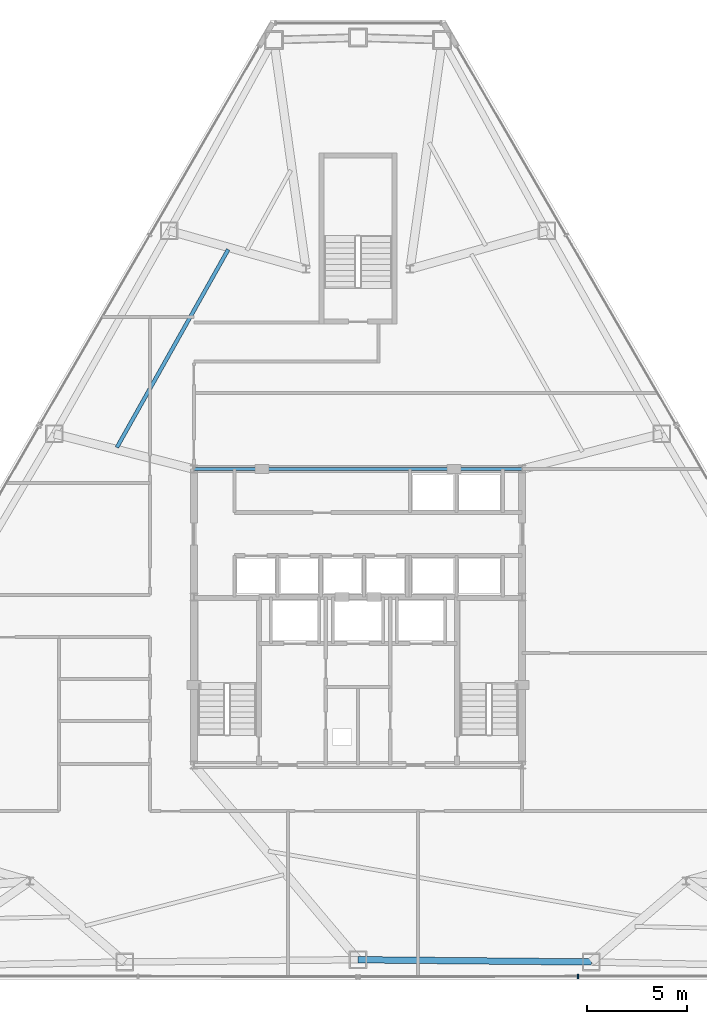
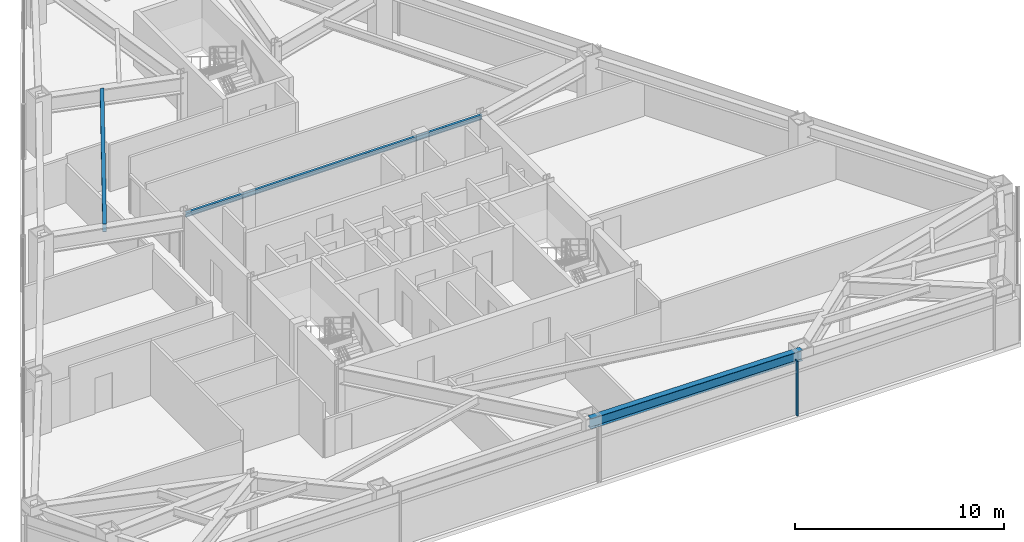
# One storey, part 5 of 13: 3 beams, 1 member, 1 element without a shape of its own.
"""IFC4 building model written with IfcOpenShell, lengths in metres."""

import ifcopenshell
import ifcopenshell.guid

model = None  # the IFC model being written
_history = None  # IfcOwnerHistory: only IFC2X3 demands one
_inside = {}  # id of a spatial element -> (the spatial element, [elements in it])
_under = {}  # id of a project, library or spatial element -> (it, [spatial elements below it])
_declared = {}  # id of a project -> (the project, [libraries it declares])
_typed = {}  # id of a type object -> (the type object, [elements of that type])
_made_of = {}  # id of a material, layer set ... -> (it, [elements and type objects made of it])


def new_model(schema):
    """Start an empty IFC model of exactly this schema.

    Asked for "IFC4X3", IfcOpenShell would pick the latest addendum, in which some entities
    have other attributes; the version numbers below select the first issue.
    IFC2X3 requires an IfcOwnerHistory on every rooted entity: one is made here for all.
    """
    global model, _history
    if schema == "IFC4X3":
        model = ifcopenshell.file(schema_version=(4, 3, 0, 0))
    else:
        model = ifcopenshell.file(schema=schema)
    _inside.clear()
    _under.clear()
    _declared.clear()
    _typed.clear()
    _made_of.clear()
    _history = None
    if model.schema == "IFC2X3":
        org = make("IfcOrganization", Name="unknown")
        user = make(
            "IfcPersonAndOrganization",
            ThePerson=make("IfcPerson", FamilyName="unknown"),
            TheOrganization=org,
        )
        app = make(
            "IfcApplication",
            ApplicationDeveloper=org,
            Version="unknown",
            ApplicationFullName="unknown",
            ApplicationIdentifier="unknown",
        )
        _history = make(
            "IfcOwnerHistory",
            OwningUser=user,
            OwningApplication=app,
            ChangeAction="ADDED",
            CreationDate=0,
        )
    return model


def make(cls, **values):
    """One entity of the class cls with the attributes given. An attribute that is None is left unset."""
    return model.create_entity(
        cls, **{name: value for name, value in values.items() if value is not None}
    )


def rooted(cls, **values):
    """An entity with a GlobalId (a new one), such as an element, a storey or a relation."""
    return make(cls, GlobalId=ifcopenshell.guid.new(), OwnerHistory=_history, **values)


def si_unit(unit_type, name, prefix=None):
    """IfcSIUnit, for example si_unit("LENGTHUNIT", "METRE", prefix="MILLI")."""
    return make("IfcSIUnit", UnitType=unit_type, Prefix=prefix, Name=name)


def assignment(units):
    """IfcUnitAssignment: the units of a project."""
    return None if units is None else make("IfcUnitAssignment", Units=units)


def point(xyz):
    """IfcCartesianPoint."""
    return None if xyz is None else make("IfcCartesianPoint", Coordinates=xyz)


def direction(xyz):
    """IfcDirection."""
    return None if xyz is None else make("IfcDirection", DirectionRatios=xyz)


def frame(location, z_axis=None, x_axis=None):
    """IfcAxis2Placement3D, a coordinate frame: its origin and axes. An axis left out is left unset."""
    return make(
        "IfcAxis2Placement3D",
        Location=point(location),
        Axis=direction(z_axis),
        RefDirection=direction(x_axis),
    )


def frame_2d(location, x_axis=None):
    """IfcAxis2Placement2D, a coordinate frame in the plane: its origin and x axis."""
    return make(
        "IfcAxis2Placement2D", Location=point(location), RefDirection=direction(x_axis)
    )


def origin():
    """The frame at (0, 0, 0) with its axes left unset."""
    return frame((0.0, 0.0, 0.0))


def origin_2d():
    """The frame at (0, 0) in the plane with its x axis left unset."""
    return frame_2d((0.0, 0.0))


def place(relative_to, where):
    """IfcLocalPlacement: puts the frame where relative to a parent placement (None: the world)."""
    return make(
        "IfcLocalPlacement", PlacementRelTo=relative_to, RelativePlacement=where
    )


def context(
    kind, dimensions, precision=None, world=None, true_north=None, identifier=None
):
    """IfcGeometricRepresentationContext, for example the 3D "Model" context."""
    return make(
        "IfcGeometricRepresentationContext",
        ContextIdentifier=identifier,
        ContextType=kind,
        CoordinateSpaceDimension=dimensions,
        Precision=precision,
        WorldCoordinateSystem=world,
        TrueNorth=true_north,
    )


def subcontext(parent, identifier, kind, view, scale=None):
    """IfcGeometricRepresentationSubContext, for example "Body" below "Model"."""
    return make(
        "IfcGeometricRepresentationSubContext",
        ContextIdentifier=identifier,
        ContextType=kind,
        ParentContext=parent,
        TargetScale=scale,
        TargetView=view,
    )


def project(units=None, contexts=None):
    """IfcProject with its units and contexts."""
    return rooted(
        "IfcProject",
        Name="project",
        RepresentationContexts=contexts,
        UnitsInContext=assignment(units),
    )


def spatial(cls, under=None, at=None, **own):
    """A site, building, storey or space (cls), placed at a placement, below another one or the project."""
    s = rooted(cls, ObjectPlacement=at, **own)
    if under is not None:
        _under.setdefault(under.id(), (under, []))[1].append(s)
    return s


def profile(cls, at=None, kind="AREA", **sizes):
    """A parametric profile (cls). Its sizes go by their IFC names, for example OverallWidth=200.0."""
    return make(cls, ProfileType=kind, Position=at, **sizes)


def rectangle(**sizes):
    """IfcRectangleProfileDef."""
    return profile("IfcRectangleProfileDef", **sizes)


def i_section(**sizes):
    """IfcIShapeProfileDef."""
    return profile("IfcIShapeProfileDef", **sizes)


def extrude(swept, where, along, depth):
    """IfcExtrudedAreaSolid: the profile swept, set in the frame where, extruded along a direction by depth."""
    return make(
        "IfcExtrudedAreaSolid",
        SweptArea=swept,
        Position=where,
        ExtrudedDirection=direction(along),
        Depth=depth,
    )


def shape(context_of_items, identifier, shape_type, items):
    """IfcShapeRepresentation: the items that make up one representation, for example the "Body"."""
    return make(
        "IfcShapeRepresentation",
        ContextOfItems=context_of_items,
        RepresentationIdentifier=identifier,
        RepresentationType=shape_type,
        Items=items,
    )


def source(mapping_origin, context_of_items, identifier, shape_type, items):
    """IfcRepresentationMap: a shape defined once, which mapped items show again and again."""
    return make(
        "IfcRepresentationMap",
        MappingOrigin=mapping_origin,
        MappedRepresentation=shape(context_of_items, identifier, shape_type, items),
    )


def transform(
    local_origin,
    x_axis=None,
    y_axis=None,
    z_axis=None,
    scale=None,
    scale2=None,
    scale3=None,
    uniform=True,
):
    """IfcCartesianTransformationOperator3D, or its non-uniform kind. x_axis, y_axis, z_axis: its Axis1, 2, 3."""
    if uniform:
        return make(
            "IfcCartesianTransformationOperator3D",
            Axis1=direction(x_axis),
            Axis2=direction(y_axis),
            LocalOrigin=point(local_origin),
            Scale=scale,
            Axis3=direction(z_axis),
        )
    return make(
        "IfcCartesianTransformationOperator3DnonUniform",
        Axis1=direction(x_axis),
        Axis2=direction(y_axis),
        LocalOrigin=point(local_origin),
        Scale=scale,
        Axis3=direction(z_axis),
        Scale2=scale2,
        Scale3=scale3,
    )


def mapped(mapping_source, mapping_target):
    """IfcMappedItem: shows the shape of a source again, moved by a transform."""
    return make(
        "IfcMappedItem", MappingSource=mapping_source, MappingTarget=mapping_target
    )


def material(Name=None, Category=None):
    """IfcMaterial."""
    return make("IfcMaterial", Name=Name, Category=Category)


def layer(
    of_material, thickness, ventilated=None, Name=None, Category=None, Priority=None
):
    """IfcMaterialLayer: one layer of a wall or slab, of a material (None: an air gap)."""
    return make(
        "IfcMaterialLayer",
        Material=of_material,
        LayerThickness=thickness,
        IsVentilated=ventilated,
        Name=Name,
        Category=Category,
        Priority=Priority,
    )


def layer_set(layers, Name=None):
    """IfcMaterialLayerSet."""
    return make("IfcMaterialLayerSet", MaterialLayers=layers, LayerSetName=Name)


def material_profile(
    of_material, cross_section, Name=None, Category=None, Priority=None
):
    """IfcMaterialProfile: a cross section and its material."""
    return make(
        "IfcMaterialProfile",
        Name=Name,
        Material=of_material,
        Profile=cross_section,
        Priority=Priority,
        Category=Category,
    )


def profile_set(profiles, Name=None, composite=None):
    """IfcMaterialProfileSet."""
    return make(
        "IfcMaterialProfileSet",
        Name=Name,
        MaterialProfiles=profiles,
        CompositeProfile=composite,
    )


def made_of(thing, what):
    """Note that an element or type object is made of a material, layer set ...; save() writes the relation."""
    if what is not None:
        _made_of.setdefault(what.id(), (what, []))[1].append(thing)
    return thing


def type_object(cls, material=None, **own):
    """A type object (cls), such as IfcWallType, which elements share."""
    return made_of(rooted(cls, **own), material)


def type_shapes(of_type, sources):
    """Give a type object the sources (RepresentationMaps) that its elements show as mapped items."""
    of_type.RepresentationMaps = sources


def element(
    cls,
    number,
    at=None,
    inside=None,
    cuts=None,
    type_object=None,
    material=None,
    context=None,
    identifier="Body",
    shape_type=None,
    held_by="IfcProductDefinitionShape",
    body=None,
    shapes=None,
    **own,
):
    """One element of the class cls, such as IfcWall. Its Tag is "e" and its number.

    at: its placement. inside: the storey or other place that contains it. cuts: it is an
    opening in that element (IfcRelVoidsElement). A single representation is given by context,
    identifier, shape_type and body (its items); several are given by shapes. held_by: the class
    of the entity that holds the representations. save() writes the other relations.
    """
    e = rooted(cls, Tag="e%d" % number, ObjectPlacement=at, **own)
    if body is not None:
        shapes = [shape(context, identifier, shape_type, body)]
    if shapes is not None:
        e.Representation = make(held_by, Representations=shapes)
    if inside is not None:
        _inside.setdefault(inside.id(), (inside, []))[1].append(e)
    if cuts is not None:
        rooted(
            "IfcRelVoidsElement", RelatingBuildingElement=cuts, RelatedOpeningElement=e
        )
    if type_object is not None:
        _typed.setdefault(type_object.id(), (type_object, []))[1].append(e)
    return made_of(e, material)


def aggregate(whole, parts):
    """IfcRelAggregates: a whole, such as a stair, and the parts it consists of."""
    return rooted("IfcRelAggregates", RelatingObject=whole, RelatedObjects=parts)


def save(model, path):
    """Write the relations noted so far, then the file.

    IfcRelAggregates (storeys below a building ...), IfcRelContainedInSpatialStructure (elements
    in a storey), IfcRelDefinesByType, IfcRelAssociatesMaterial and IfcRelDeclares: one each for
    every whole, place, type object, material and project.
    """
    for whole, parts in _under.values():
        aggregate(whole, parts)
    for where, things in _inside.values():
        rooted(
            "IfcRelContainedInSpatialStructure",
            RelatedElements=things,
            RelatingStructure=where,
        )
    for kind, things in _typed.values():
        rooted("IfcRelDefinesByType", RelatedObjects=things, RelatingType=kind)
    for what, things in _made_of.values():
        rooted("IfcRelAssociatesMaterial", RelatedObjects=things, RelatingMaterial=what)
    for by, libraries in _declared.values():
        rooted("IfcRelDeclares", RelatingContext=by, RelatedDefinitions=libraries)
    model.write(path)


model = new_model("IFC4")

# Units and contexts
model_context = context("Model", 3, precision=1e-05, world=origin(), true_north=direction((0.0, 1.0)))
body_context = subcontext(model_context, "Body", "Model", "MODEL_VIEW")
ifc_project = project(units=[si_unit("LENGTHUNIT", "METRE"), si_unit("AREAUNIT", "SQUARE_METRE"), si_unit("VOLUMEUNIT", "CUBIC_METRE"), si_unit("PLANEANGLEUNIT", "RADIAN"), si_unit("MASSUNIT", "GRAM", prefix="KILO")], contexts=[model_context])

# Site, building, storey
site_placement = place(None, origin())
site = spatial("IfcSite", under=ifc_project, at=site_placement, CompositionType="ELEMENT")
building_placement = place(site_placement, origin())
building = spatial("IfcBuilding", under=site, at=building_placement, Name="Varakhsha Concourse Tower", CompositionType="ELEMENT")
storey_placement = place(building_placement, frame((0.0, 0.0, 122.89990234375)))
storey = spatial("IfcBuildingStorey", under=building, at=storey_placement, Name="L35", CompositionType="ELEMENT", Elevation=122.89990234375)

# Beams
ifc_material_1 = material(Name="Structural Steel ASTM A992 Grade 50", Category="steel")
ifc_material_profile_1 = material_profile(ifc_material_1, i_section(OverallWidth=0.19091796875, OverallDepth=0.45703125, WebThickness=0.009033203125, FlangeThickness=0.013916015625, at=origin_2d()), Name="W18X50")
ifc_profile_set_1 = profile_set([ifc_material_profile_1], Name="Structural Steel ASTM A992 Grade 50")
beam_type_1 = type_object("IfcBeamType", Name="BM-JST-W18X50", PredefinedType="JOIST", material=ifc_profile_set_1)
beam_1_placement = place(storey_placement, frame((33.512451171875, 42.1796875, 2.981689453125), z_axis=(-0.490329635901, -0.87153706069, 0.0), x_axis=(0.87153706069, -0.490329635901, 0.0)))
element("IfcBeam", 1, at=beam_1_placement, inside=storey, type_object=beam_type_1, Name="BM-TJST-L35-04", PredefinedType="JOIST", context=body_context, shape_type="SweptSolid", body=[
    extrude(i_section(OverallWidth=0.19091796875, OverallDepth=0.45703125, WebThickness=0.009033203125, FlangeThickness=0.013916015625, at=origin_2d()), origin(), (0.0, 0.0, 1.0), 11.354248046875),
])
ifc_material_profile_2 = material_profile(ifc_material_1, i_section(OverallWidth=0.14697265625, OverallDepth=0.261962890625, WebThickness=0.007080078125, FlangeThickness=0.010986328125, at=origin_2d()), Name="W10X26")
ifc_profile_set_2 = profile_set([ifc_material_profile_2], Name="Structural Steel ASTM A992 Grade 50")
beam_type_2 = type_object("IfcBeamType", Name="BM-LNTL-W10X26", PredefinedType="LINTEL", material=ifc_profile_set_2)
beam_2_placement = place(storey_placement, frame((31.800048828125, 31.199951171875, 3.0791015625), z_axis=(1.0, 0.0, 0.0), x_axis=(0.0, 1.0, 0.0)))
element("IfcBeam", 2, at=beam_2_placement, inside=storey, type_object=beam_type_2, Name="BM-TCORE-L35-CN", PredefinedType="LINTEL", context=body_context, shape_type="SweptSolid", body=[
    extrude(i_section(OverallWidth=0.14697265625, OverallDepth=0.261962890625, WebThickness=0.007080078125, FlangeThickness=0.010986328125, at=origin_2d()), origin(), (0.0, 0.0, 1.0), 16.39990234375),
])
ifc_material_profile_3 = material_profile(ifc_material_1, i_section(OverallWidth=0.323974609375, OverallDepth=0.611083984375, WebThickness=0.012939453125, FlangeThickness=0.01904296875, at=origin_2d()), Name="W24X104")
ifc_profile_set_3 = profile_set([ifc_material_profile_3], Name="Structural Steel ASTM A992 Grade 50")
beam_type_3 = type_object("IfcBeamType", Name="BM-SPAN-W24X104", PredefinedType="SPANDREL", material=ifc_profile_set_3)
beam_3_placement = place(storey_placement, frame((40.0, 6.67138671875, 2.904541015625), z_axis=(0.999954043986, -0.009586965987, 0.0), x_axis=(0.009586965987, 0.999954043986, 0.0)))
element("IfcBeam", 3, at=beam_3_placement, inside=storey, type_object=beam_type_3, Name="BM-SPAN-L35-11", PredefinedType="SPANDREL", context=body_context, shape_type="SweptSolid", body=[
    extrude(i_section(OverallWidth=0.323974609375, OverallDepth=0.611083984375, WebThickness=0.012939453125, FlangeThickness=0.01904296875, at=origin_2d()), origin(), (0.0, 0.0, 1.0), 11.663330078125),
])

# Curtain wall, member
ifc_material_2 = material(Name="Anodised Bronze Architectural Aluminium AA 6063-T6", Category="aluminium")
ifc_layer = layer(ifc_material_2, 0.2099609375, Name="CW-SYS-04")
ifc_layer_set = layer_set([ifc_layer], Name="Anodised Bronze Architectural Aluminium AA 6063-T6")
curtain_wall_type = type_object("IfcCurtainWallType", Name="CW-SYS-04", PredefinedType="NOTDEFINED", material=ifc_layer_set)
curtain_wall_placement = place(storey_placement, origin())
curtain_wall = element("IfcCurtainWall", 4, at=curtain_wall_placement, inside=storey, type_object=curtain_wall_type, Name="L35 Crystal Curtain Wall F6", PredefinedType="NOTDEFINED")
ifc_material_profile_4 = material_profile(ifc_material_2, rectangle(XDim=0.074951171875, YDim=0.219970703125, at=origin_2d()), Name="CWM-220X75")
ifc_profile_set_4 = profile_set([ifc_material_profile_4], Name="Anodised Bronze Architectural Aluminium AA 6063-T6")
member_type = type_object("IfcMemberType", Name="CWM-220X75", PredefinedType="MULLION", material=ifc_profile_set_4)
shared_shape = source(origin(), body_context, "Body", "SweptSolid", [
    extrude(rectangle(XDim=0.074951171875, YDim=0.219970703125, at=origin_2d()), origin(), (0.0, 0.0, 1.0), 3.210205078125),
])
type_shapes(member_type, [shared_shape])
member_placement = place(storey_placement, frame((50.993896484375, 5.83837890625, 0.0), z_axis=(0.0, 0.0, 1.0), x_axis=(-0.999998476913, -0.001745328366, 0.0)))
member = element("IfcMember", 5, at=member_placement, type_object=member_type, Name="CW-L35-F6 Mullion 01", PredefinedType="MULLION", context=body_context, shape_type="MappedRepresentation", body=[
    mapped(shared_shape, transform((0.0, 0.0, 0.0), scale=1.0)),
])
aggregate(curtain_wall, [member])

save(model, "model.ifc")
